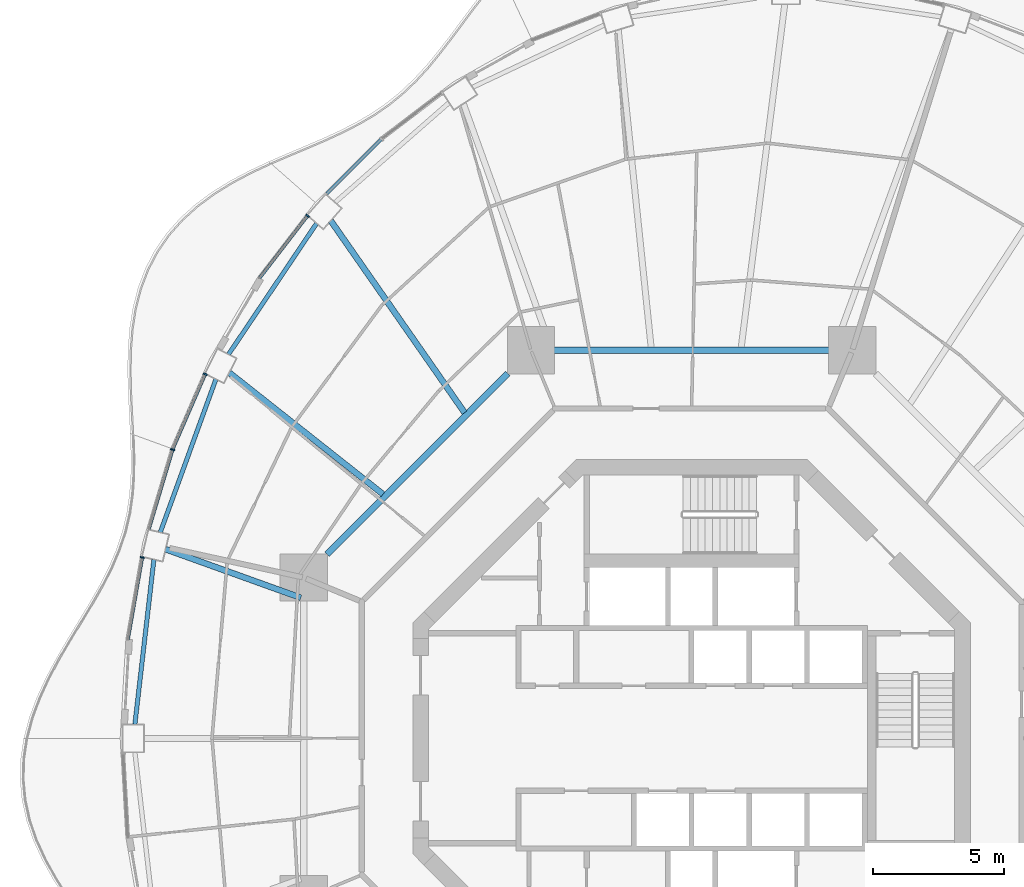
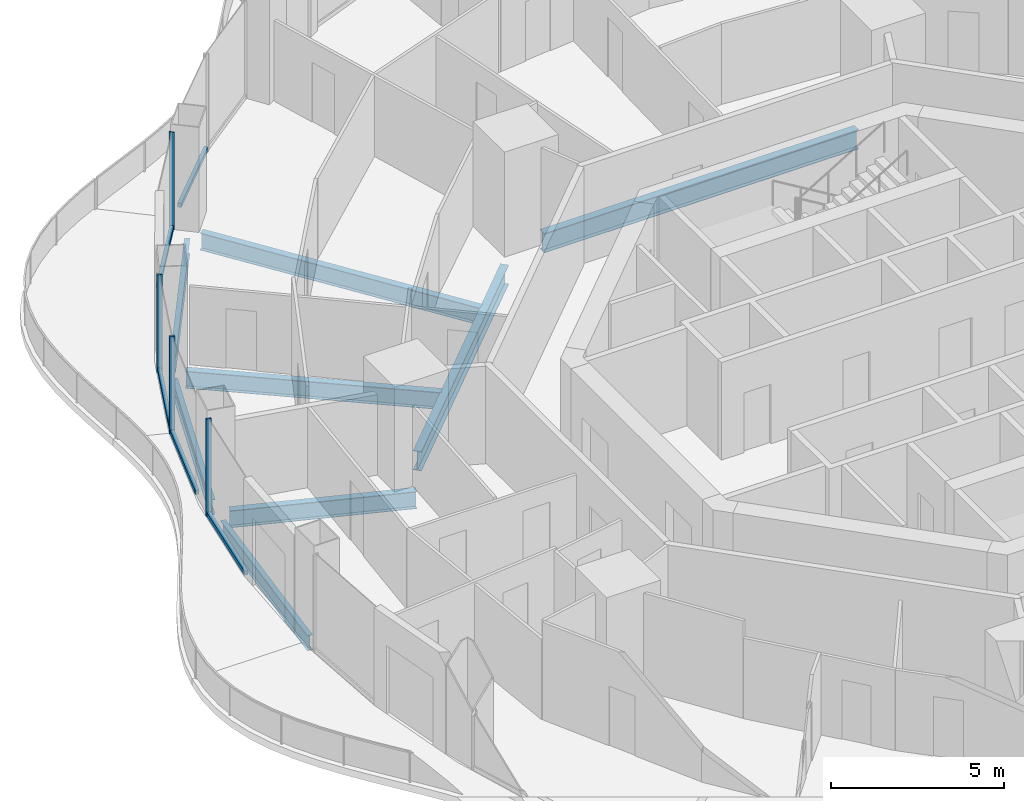
# One storey, part 6 of 19: 9 members, 8 beams, 5 elements without a shape of their own.
"""IFC4 building model written with IfcOpenShell, lengths in metres."""

from ifc_helpers import new_model, si_unit, direction, frame, origin, origin_2d, place, context, subcontext, project, spatial, rectangle, i_section, extrude, material, layer, layer_set, material_profile, profile_set, type_object, element, aggregate, save


model = new_model("IFC4")

# Units and contexts
model_context = context("Model", 3, precision=1e-05, world=origin(), true_north=direction((0.0, 1.0)))
body_context = subcontext(model_context, "Body", "Model", "MODEL_VIEW")
ifc_project = project(units=[si_unit("LENGTHUNIT", "METRE"), si_unit("AREAUNIT", "SQUARE_METRE"), si_unit("VOLUMEUNIT", "CUBIC_METRE"), si_unit("PLANEANGLEUNIT", "RADIAN"), si_unit("MASSUNIT", "GRAM", prefix="KILO")], contexts=[model_context])

# Site, building, storey
site_placement = place(None, origin())
site = spatial("IfcSite", under=ifc_project, at=site_placement, CompositionType="ELEMENT")
building_placement = place(site_placement, origin())
building = spatial("IfcBuilding", under=site, at=building_placement, Name="Nagisa Residences", CompositionType="ELEMENT")
storey_placement = place(building_placement, frame((0.0, 0.0, 173.300048828125)))
storey = spatial("IfcBuildingStorey", under=building, at=storey_placement, Name="L43", CompositionType="ELEMENT", Elevation=173.300048828125)

# Curtain wall, member
ifc_material_1 = material(Name="Concrete-coloured aluminium curtain wall system", Category="concrete")
ifc_layer = layer(ifc_material_1, 0.159912109375)
ifc_layer_set = layer_set([ifc_layer], Name="CW1 CURTAIN WALL")
curtain_wall_type = type_object("IfcCurtainWallType", Name="CW1 CURTAIN WALL", PredefinedType="NOTDEFINED", material=ifc_layer_set)
curtain_wall_1_placement = place(storey_placement, origin())
curtain_wall_1 = element("IfcCurtainWall", 1, at=curtain_wall_1_placement, inside=storey, type_object=curtain_wall_type, Name="cw:CW1:L43:18", PredefinedType="NOTDEFINED")
ifc_material_2 = material(Name="Concrete-coloured aluminium", Category="concrete")
ifc_material_profile_1 = material_profile(ifc_material_2, rectangle(XDim=0.159912109375, YDim=0.06005859375, at=origin_2d()), Name="CW1 MULLION 160x60")
ifc_profile_set_1 = profile_set([ifc_material_profile_1], Name="Concrete-coloured aluminium")
member_type_1 = type_object("IfcMemberType", Name="CW1 MULLION 160x60", PredefinedType="MULLION", material=ifc_profile_set_1)
member_1_placement = place(storey_placement, frame((-14.633544921875, 19.909423828125, 0.0), z_axis=(0.0, 0.0, 1.0), x_axis=(0.792070340816, -0.610429828235, 0.0)))
member_1 = element("IfcMember", 2, at=member_1_placement, type_object=member_type_1, Name="CW1 mullion", PredefinedType="MULLION", context=body_context, shape_type="SweptSolid", body=[
    extrude(rectangle(XDim=0.159912109375, YDim=0.06005859375, at=origin_2d()), origin(), (0.0, 0.0, 1.0), 3.43994140625),
])

curtain_wall_2_placement = place(storey_placement, origin())
curtain_wall_2 = element("IfcCurtainWall", 3, at=curtain_wall_2_placement, inside=storey, type_object=curtain_wall_type, Name="cw:CW1:L43:20", PredefinedType="NOTDEFINED")
member_2_placement = place(storey_placement, frame((-18.53271484375, 13.87353515625, 0.0), z_axis=(0.0, 0.0, 1.0), x_axis=(0.917543276295, -0.397635934147, 0.0)))
member_2 = element("IfcMember", 4, at=member_2_placement, type_object=member_type_1, Name="CW1 mullion", PredefinedType="MULLION", context=body_context, shape_type="SweptSolid", body=[
    extrude(rectangle(XDim=0.159912109375, YDim=0.06005859375, at=origin_2d()), origin(), (0.0, 0.0, 1.0), 3.43994140625),
])

curtain_wall_3_placement = place(storey_placement, origin())
curtain_wall_3 = element("IfcCurtainWall", 5, at=curtain_wall_3_placement, inside=storey, type_object=curtain_wall_type, Name="cw:CW1:L43:21", PredefinedType="NOTDEFINED")
member_3_placement = place(storey_placement, frame((-19.775390625, 10.998291015625, 0.0), z_axis=(0.0, 0.0, 1.0), x_axis=(0.958271310082, -0.285860274038, 0.0)))
member_3 = element("IfcMember", 6, at=member_3_placement, type_object=member_type_1, Name="CW1 mullion", PredefinedType="MULLION", context=body_context, shape_type="SweptSolid", body=[
    extrude(rectangle(XDim=0.159912109375, YDim=0.06005859375, at=origin_2d()), origin(), (0.0, 0.0, 1.0), 3.43994140625),
])

curtain_wall_4_placement = place(storey_placement, origin())
curtain_wall_4 = element("IfcCurtainWall", 7, at=curtain_wall_4_placement, inside=storey, type_object=curtain_wall_type, Name="cw:CW1:L43:22", PredefinedType="NOTDEFINED")
member_4_placement = place(storey_placement, frame((-20.931396484375, 6.88818359375, 0.0), z_axis=(0.0, 0.0, 1.0), x_axis=(0.985063604377, -0.172190868898, 0.0)))
member_4 = element("IfcMember", 8, at=member_4_placement, type_object=member_type_1, Name="CW1 mullion", PredefinedType="MULLION", context=body_context, shape_type="SweptSolid", body=[
    extrude(rectangle(XDim=0.159912109375, YDim=0.06005859375, at=origin_2d()), origin(), (0.0, 0.0, 1.0), 3.43994140625),
])

curtain_wall_5_placement = place(storey_placement, origin())
curtain_wall_5 = element("IfcCurtainWall", 9, at=curtain_wall_5_placement, inside=storey, type_object=curtain_wall_type, Name="cw:CW1:L43:17", PredefinedType="NOTDEFINED")
ifc_material_3 = material(Name="Concrete-coloured aluminium", Category="concrete")
ifc_material_profile_2 = material_profile(ifc_material_3, rectangle(XDim=0.1201171875, YDim=0.14990234375, at=origin_2d()), Name="CW1 TRANSOM 120x150")
ifc_profile_set_2 = profile_set([ifc_material_profile_2], Name="Concrete-coloured aluminium")
member_type_2 = type_object("IfcMemberType", Name="CW1 TRANSOM 120x150", PredefinedType="USERDEFINED", material=ifc_profile_set_2)
member_5_placement = place(storey_placement, frame((-11.790771484375, 22.8515625, 0.074951171875), z_axis=(-0.707803821372, -0.706409053206, 0.0), x_axis=(0.706409053206, -0.707803821372, 0.0)))
member_5 = element("IfcMember", 10, at=member_5_placement, type_object=member_type_2, Name="CW1 transom", ObjectType="TRANSOM", PredefinedType="USERDEFINED", context=body_context, shape_type="SweptSolid", body=[
    extrude(rectangle(XDim=0.1201171875, YDim=0.14990234375, at=origin_2d()), origin(), (0.0, 0.0, 1.0), 2.9755859375),
])
aggregate(curtain_wall_5, [member_5])

# Member
member_6_placement = place(storey_placement, frame((-14.615234375, 19.933349609375, 0.074951171875), z_axis=(-0.610398538814, -0.792094453846, 0.0), x_axis=(0.792094453846, -0.610398538814, 0.0)))
member_6 = element("IfcMember", 11, at=member_6_placement, type_object=member_type_2, Name="CW1 transom", ObjectType="TRANSOM", PredefinedType="USERDEFINED", context=body_context, shape_type="SweptSolid", body=[
    extrude(rectangle(XDim=0.1201171875, YDim=0.14990234375, at=origin_2d()), origin(), (0.0, 0.0, 1.0), 3.035400390625),
])

aggregate(curtain_wall_1, [member_1, member_6])

member_7_placement = place(storey_placement, frame((-18.520751953125, 13.901123046875, 0.074951171875), z_axis=(-0.397592173732, -0.917562239517, 0.0), x_axis=(0.917562239517, -0.397592173732, 0.0)))
member_7 = element("IfcMember", 12, at=member_7_placement, type_object=member_type_2, Name="CW1 transom", ObjectType="TRANSOM", PredefinedType="USERDEFINED", context=body_context, shape_type="SweptSolid", body=[
    extrude(rectangle(XDim=0.1201171875, YDim=0.14990234375, at=origin_2d()), origin(), (0.0, 0.0, 1.0), 3.14208984375),
])

aggregate(curtain_wall_2, [member_2, member_7])

member_8_placement = place(storey_placement, frame((-19.766845703125, 11.027099609375, 0.074951171875), z_axis=(-0.28584838049, -0.958274857946, 0.0), x_axis=(0.958274857946, -0.28584838049, 0.0)))
member_8 = element("IfcMember", 13, at=member_8_placement, type_object=member_type_2, Name="CW1 transom", ObjectType="TRANSOM", PredefinedType="USERDEFINED", context=body_context, shape_type="SweptSolid", body=[
    extrude(rectangle(XDim=0.1201171875, YDim=0.14990234375, at=origin_2d()), origin(), (0.0, 0.0, 1.0), 3.182373046875),
])

aggregate(curtain_wall_3, [member_3, member_8])

member_9_placement = place(storey_placement, frame((-20.92626953125, 6.917724609375, 0.074951171875), z_axis=(-0.172162664901, -0.98506853407, 0.0), x_axis=(0.98506853407, -0.172162664901, 0.0)))
member_9 = element("IfcMember", 14, at=member_9_placement, type_object=member_type_2, Name="CW1 transom", ObjectType="TRANSOM", PredefinedType="USERDEFINED", context=body_context, shape_type="SweptSolid", body=[
    extrude(rectangle(XDim=0.1201171875, YDim=0.14990234375, at=origin_2d()), origin(), (0.0, 0.0, 1.0), 3.21044921875),
])

aggregate(curtain_wall_4, [member_4, member_9])

# Beams
ifc_material_4 = material(Name="Steel ASTM A572 Gr 50", Category="steel")
ifc_material_profile_3 = material_profile(ifc_material_4, i_section(OverallWidth=0.25390625, OverallDepth=0.68408203125, WebThickness=0.012451171875, FlangeThickness=0.018798828125, at=origin_2d()), Name="W690x140")
ifc_profile_set_3 = profile_set([ifc_material_profile_3], Name="Steel ASTM A572 Gr 50")
beam_type_1 = type_object("IfcBeamType", Name="Inner ring beam W690x140", PredefinedType="BEAM", material=ifc_profile_set_3)
beam_1_placement = place(storey_placement, frame((5.242919921875, 14.781982421875, -0.60205078125), z_axis=(-1.0, 0.0, 0.0), x_axis=(0.0, -1.0, 0.0)))
element("IfcBeam", 15, at=beam_1_placement, inside=storey, type_object=beam_type_1, Name="beam:L43:ib2", PredefinedType="BEAM", context=body_context, shape_type="SweptSolid", body=[
    extrude(i_section(OverallWidth=0.25390625, OverallDepth=0.68408203125, WebThickness=0.012451171875, FlangeThickness=0.018798828125, at=origin_2d()), origin(), (0.0, 0.0, 1.0), 10.48583984375),
])
beam_2_placement = place(storey_placement, frame((-7.0087890625, 13.896240234375, -0.60205078125), z_axis=(-0.707106781187, -0.707106781187, 0.0), x_axis=(0.707106781187, -0.707106781187, 0.0)))
element("IfcBeam", 16, at=beam_2_placement, inside=storey, type_object=beam_type_1, Name="beam:L43:ib3", PredefinedType="BEAM", context=body_context, shape_type="SweptSolid", body=[
    extrude(i_section(OverallWidth=0.25390625, OverallDepth=0.68408203125, WebThickness=0.012451171875, FlangeThickness=0.018798828125, at=origin_2d()), origin(), (0.0, 0.0, 1.0), 9.740234375),
])
ifc_material_5 = material(Name="Steel ASTM A572 Gr 50", Category="steel")
ifc_material_profile_4 = material_profile(ifc_material_5, i_section(OverallWidth=0.166015625, OverallDepth=0.534912109375, WebThickness=0.01025390625, FlangeThickness=0.0166015625, at=origin_2d()), Name="W530x85")
ifc_profile_set_4 = profile_set([ifc_material_profile_4], Name="Steel ASTM A572 Gr 50")
beam_type_2 = type_object("IfcBeamType", Name="Perimeter ring beam W530x85", PredefinedType="BEAM", material=ifc_profile_set_4)
beam_3_placement = place(storey_placement, frame((-14.28759765625, 19.62060546875, -0.527587890625), z_axis=(-0.558152301307, -0.829738518177, 0.0), x_axis=(0.829738518177, -0.558152301307, 0.0)))
element("IfcBeam", 17, at=beam_3_placement, inside=storey, type_object=beam_type_2, Name="beam:L43:pb10", PredefinedType="BEAM", context=body_context, shape_type="SweptSolid", body=[
    extrude(i_section(OverallWidth=0.166015625, OverallDepth=0.534912109375, WebThickness=0.01025390625, FlangeThickness=0.0166015625, at=origin_2d()), origin(), (0.0, 0.0, 1.0), 6.013916015625),
])
beam_4_placement = place(storey_placement, frame((-18.124755859375, 13.685546875, -0.527587890625), z_axis=(-0.341285525681, -0.939959674646, 0.0), x_axis=(0.939959674646, -0.341285525681, 0.0)))
element("IfcBeam", 18, at=beam_4_placement, inside=storey, type_object=beam_type_2, Name="beam:L43:pb11", PredefinedType="BEAM", context=body_context, shape_type="SweptSolid", body=[
    extrude(i_section(OverallWidth=0.166015625, OverallDepth=0.534912109375, WebThickness=0.01025390625, FlangeThickness=0.0166015625, at=origin_2d()), origin(), (0.0, 0.0, 1.0), 6.212890625),
])
beam_5_placement = place(storey_placement, frame((-20.488525390625, 6.813720703125, -0.527587890625), z_axis=(-0.114670987431, -0.993403525583, 0.0), x_axis=(0.993403525583, -0.114670987431, 0.0)))
element("IfcBeam", 19, at=beam_5_placement, inside=storey, type_object=beam_type_2, Name="beam:L43:pb12", PredefinedType="BEAM", context=body_context, shape_type="SweptSolid", body=[
    extrude(i_section(OverallWidth=0.166015625, OverallDepth=0.534912109375, WebThickness=0.01025390625, FlangeThickness=0.0166015625, at=origin_2d()), origin(), (0.0, 0.0, 1.0), 6.325439453125),
])
ifc_material_6 = material(Name="Steel ASTM A572 Gr 50", Category="steel")
ifc_material_profile_5 = material_profile(ifc_material_6, i_section(OverallWidth=0.22802734375, OverallDepth=0.60302734375, WebThickness=0.010498046875, FlangeThickness=0.014892578125, at=origin_2d()), Name="W610x101")
ifc_profile_set_5 = profile_set([ifc_material_profile_5], Name="Steel ASTM A572 Gr 50")
beam_type_3 = type_object("IfcBeamType", Name="Radial beam W610x101", PredefinedType="BEAM", material=ifc_profile_set_5)
beam_6_placement = place(storey_placement, frame((-13.75048828125, 19.7216796875, -0.5615234375), z_axis=(0.571934479253, -0.82029930601, 0.0), x_axis=(0.82029930601, 0.571934479253, 0.0)))
element("IfcBeam", 20, at=beam_6_placement, inside=storey, type_object=beam_type_3, Name="beam:L43:rb10", PredefinedType="BEAM", context=body_context, shape_type="SweptSolid", body=[
    extrude(i_section(OverallWidth=0.22802734375, OverallDepth=0.60302734375, WebThickness=0.010498046875, FlangeThickness=0.014892578125, at=origin_2d()), origin(), (0.0, 0.0, 1.0), 8.917724609375),
])
beam_7_placement = place(storey_placement, frame((-17.617919921875, 13.930908203125, -0.5615234375), z_axis=(0.784411523752, -0.620240728593, 0.0), x_axis=(0.620240728593, 0.784411523752, 0.0)))
element("IfcBeam", 21, at=beam_7_placement, inside=storey, type_object=beam_type_3, Name="beam:L43:rb11", PredefinedType="BEAM", context=body_context, shape_type="SweptSolid", body=[
    extrude(i_section(OverallWidth=0.22802734375, OverallDepth=0.60302734375, WebThickness=0.010498046875, FlangeThickness=0.014892578125, at=origin_2d()), origin(), (0.0, 0.0, 1.0), 7.4697265625),
])
beam_8_placement = place(storey_placement, frame((-20.043701171875, 7.2060546875, -0.5615234375), z_axis=(0.941032808963, -0.338315315137, 0.0), x_axis=(0.338315315137, 0.941032808963, 0.0)))
element("IfcBeam", 22, at=beam_8_placement, inside=storey, type_object=beam_type_3, Name="beam:L43:rb12", PredefinedType="BEAM", context=body_context, shape_type="SweptSolid", body=[
    extrude(i_section(OverallWidth=0.22802734375, OverallDepth=0.60302734375, WebThickness=0.010498046875, FlangeThickness=0.014892578125, at=origin_2d()), origin(), (0.0, 0.0, 1.0), 5.4765625),
])

save(model, "model.ifc")
